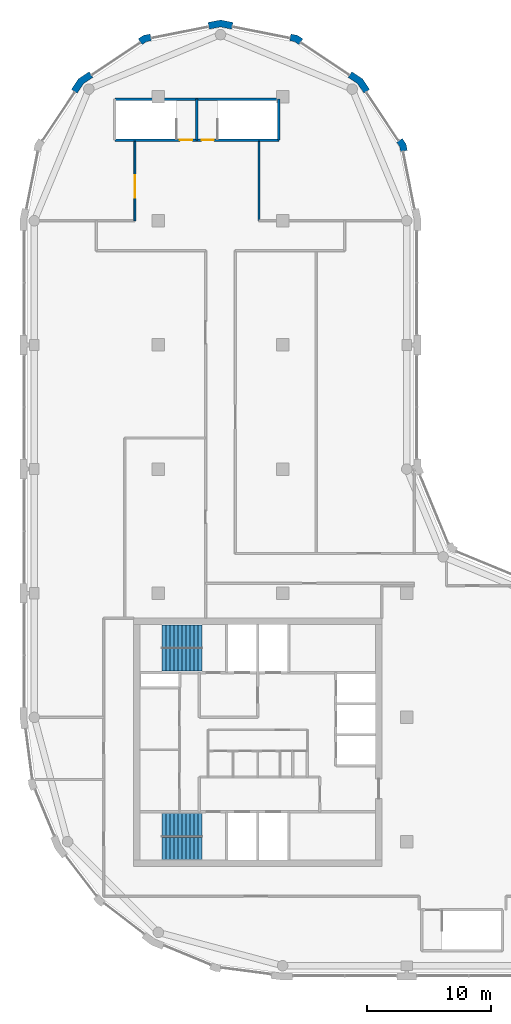
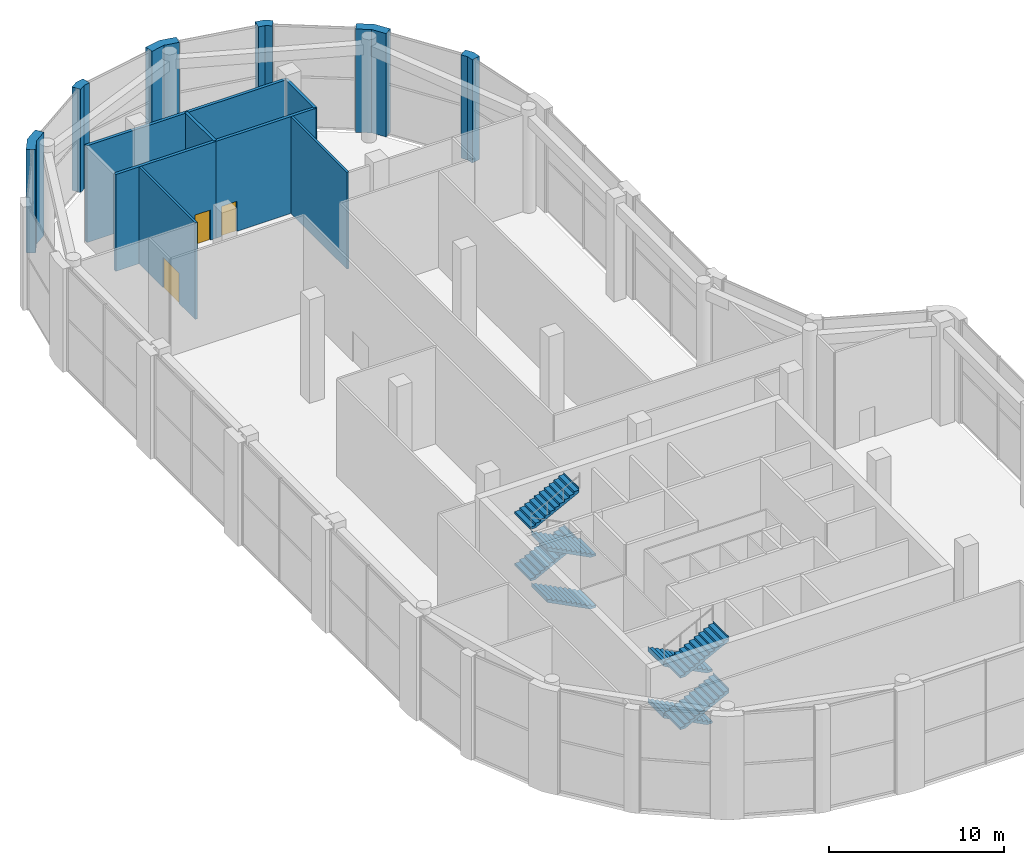
# One storey, part 13 of 14: 14 walls, 8 stair flights, 3 doors, 3 openings, 2 elements without a shape of their own.
"""IFC4 building model written with IfcOpenShell, lengths in metres."""

from ifc_helpers import new_model, si_unit, direction, frame, frame_2d, origin, place, context, subcontext, project, spatial, polyline, rectangle, outline, extrude, material, layer, layer_set, type_object, element, fill, aggregate, save


model = new_model("IFC4")

# Units and contexts
model_context = context("Model", 3, precision=1e-05, world=origin(), true_north=direction((0.0, 1.0)))
body_context = subcontext(model_context, "Body", "Model", "MODEL_VIEW")
ifc_project = project(units=[si_unit("LENGTHUNIT", "METRE"), si_unit("AREAUNIT", "SQUARE_METRE"), si_unit("VOLUMEUNIT", "CUBIC_METRE"), si_unit("PLANEANGLEUNIT", "RADIAN"), si_unit("MASSUNIT", "GRAM", prefix="KILO")], contexts=[model_context])

# Site, building, storey
site_placement = place(None, origin())
site = spatial("IfcSite", under=ifc_project, at=site_placement, CompositionType="ELEMENT")
building_placement = place(site_placement, origin())
building = spatial("IfcBuilding", under=site, at=building_placement, Name="Qaws Garden Tower", CompositionType="ELEMENT")
storey_placement = place(building_placement, frame((0.0, 0.0, 358.199951171875)))
storey = spatial("IfcBuildingStorey", under=building, at=storey_placement, Name="L87", CompositionType="ELEMENT", Elevation=358.199951171875)

# Walls
ifc_material_1 = material(Name="Clay facing brick masonry", Category="masonry")
ifc_layer_1 = layer(ifc_material_1, 0.550048828125)
ifc_layer_set_1 = layer_set([ifc_layer_1], Name="Clay facing brick masonry")
wall_type_1 = type_object("IfcWallType", Name="Brick kink pier 550 x 600", PredefinedType="SOLIDWALL", material=ifc_layer_set_1)
placement = place(storey_placement, origin())
element("IfcWall", 1, at=placement, inside=storey, type_object=wall_type_1, Name="E-L87-pier-10", PredefinedType="SOLIDWALL", context=body_context, shape_type="SweptSolid", body=[
    extrude(outline(polyline([(29.8974609375, 65.64111328125), (30.044677734375, 65.67041015625), (29.94140625, 66.18896484375), (29.647705078125, 66.628662109375), (29.52294921875, 66.545166015625), (29.1904296875, 66.322998046875), (29.42333984375, 65.974365234375), (29.505126953125, 65.56298828125), (29.8974609375, 65.64111328125)])), origin(), (0.0, 0.0, 1.0), 7.199951171875),
])
element("IfcWall", 2, at=placement, inside=storey, type_object=wall_type_1, Name="E-L87-pier-12", PredefinedType="SOLIDWALL", context=body_context, shape_type="SweptSolid", body=[
    extrude(outline(polyline([(21.545166015625, 74.52294921875), (21.628662109375, 74.647705078125), (21.18896484375, 74.94140625), (20.67041015625, 75.044677734375), (20.64111328125, 74.8974609375), (20.56298828125, 74.505126953125), (20.974365234375, 74.42333984375), (21.322998046875, 74.1904296875), (21.545166015625, 74.52294921875)])), origin(), (0.0, 0.0, 1.0), 7.199951171875),
])
element("IfcWall", 3, at=placement, inside=storey, type_object=wall_type_1, Name="E-L87-pier-14", PredefinedType="SOLIDWALL", context=body_context, shape_type="SweptSolid", body=[
    extrude(outline(polyline([(9.35888671875, 74.8974609375), (9.32958984375, 75.044677734375), (8.81103515625, 74.94140625), (8.371337890625, 74.647705078125), (8.454833984375, 74.52294921875), (8.677001953125, 74.1904296875), (9.025634765625, 74.42333984375), (9.43701171875, 74.505126953125), (9.35888671875, 74.8974609375)])), origin(), (0.0, 0.0, 1.0), 7.199951171875),
])
ifc_material_2 = material(Name="Clay facing brick masonry", Category="masonry")
ifc_layer_2 = layer(ifc_material_2, 0.550048828125)
ifc_layer_set_2 = layer_set([ifc_layer_2], Name="Clay facing brick masonry")
wall_type_2 = type_object("IfcWallType", Name="Brick pier 550 x 1600", PredefinedType="SOLIDWALL", material=ifc_layer_set_2)
element("IfcWall", 4, at=placement, inside=storey, type_object=wall_type_2, Name="E-L87-pier-11", PredefinedType="SOLIDWALL", context=body_context, shape_type="SweptSolid", body=[
    extrude(outline(polyline([(26.882568359375, 70.4970703125), (27.00732421875, 70.580322265625), (26.435791015625, 71.435791015625), (25.580322265625, 72.00732421875), (25.4970703125, 71.882568359375), (25.274658203125, 71.550048828125), (26.0390625, 71.0390625), (26.550048828125, 70.274658203125), (26.882568359375, 70.4970703125)])), origin(), (0.0, 0.0, 1.0), 7.199951171875),
])
element("IfcWall", 5, at=placement, inside=storey, type_object=wall_type_2, Name="E-L87-pier-13", PredefinedType="SOLIDWALL", context=body_context, shape_type="SweptSolid", body=[
    extrude(outline(polyline([(15.979736328125, 75.82470703125), (16.009033203125, 75.971923828125), (15.0, 76.172607421875), (13.990966796875, 75.971923828125), (14.020263671875, 75.82470703125), (14.098388671875, 75.432373046875), (15.0, 75.61181640625), (15.901611328125, 75.432373046875), (15.979736328125, 75.82470703125)])), origin(), (0.0, 0.0, 1.0), 7.199951171875),
])
element("IfcWall", 6, at=placement, inside=storey, type_object=wall_type_2, Name="E-L87-pier-15", PredefinedType="SOLIDWALL", context=body_context, shape_type="SweptSolid", body=[
    extrude(outline(polyline([(4.5029296875, 71.882568359375), (4.419677734375, 72.00732421875), (3.564208984375, 71.435791015625), (2.99267578125, 70.580322265625), (3.117431640625, 70.4970703125), (3.449951171875, 70.274658203125), (3.9609375, 71.0390625), (4.725341796875, 71.550048828125), (4.5029296875, 71.882568359375)])), origin(), (0.0, 0.0, 1.0), 7.199951171875),
])

# Wall, opening, door
ifc_material_3 = material(Name="Concrete C60", Category="concrete")
ifc_layer_3 = layer(ifc_material_3, 0.199951171875)
ifc_layer_set_3 = layer_set([ifc_layer_3], Name="Concrete C60")
wall_type_3 = type_object("IfcWallType", Name="Core shaft wall 200 C60", PredefinedType="SHEAR", material=ifc_layer_set_3)
wall_7_placement = place(storey_placement, frame((6.5, 66.5, 0.0), z_axis=(0.0, 0.0, 1.0), x_axis=(1.0, 0.0, 0.0)))
wall_7 = element("IfcWall", 7, at=wall_7_placement, inside=storey, type_object=wall_type_3, Name="Shaft wall", PredefinedType="SHEAR", context=body_context, shape_type="SweptSolid", body=[
    extrude(rectangle(XDim=6.60009765625, YDim=0.199951171875, at=frame_2d((3.300048828125, 0.0))), origin(), (0.0, 0.0, 1.0), 6.75),
])
opening_1_placement = place(wall_7_placement, frame((5.22509765625, 0.0, 0.0)))
opening_1 = element("IfcOpeningElement", 8, at=opening_1_placement, cuts=wall_7, Name="Opening SD11", PredefinedType="OPENING", context=body_context, shape_type="SweptSolid", body=[
    extrude(rectangle(XDim=1.0, YDim=2.10009765625, at=frame_2d((0.5, 1.050048828125))), frame((0.0, 0.10986328125, 0.0), z_axis=(0.0, -1.0, 0.0), x_axis=(1.0, 0.0, 0.0)), (0.0, 0.0, 1.0), 0.219970703125),
])
ifc_material_4 = material(Name="Steel S235", Category="steel")
door_type_1 = type_object("IfcDoorType", Name="Stair door 1000x2100", OperationType="SINGLE_SWING_RIGHT", PredefinedType="DOOR", material=ifc_material_4)
door_1_placement = place(opening_1_placement, origin())
door_1 = element("IfcDoor", 9, at=door_1_placement, inside=storey, type_object=door_type_1, Name="Stair 6 door", OperationType="SINGLE_SWING_RIGHT", OverallHeight=2.10009765625, OverallWidth=1.0, PredefinedType="DOOR", context=body_context, shape_type="SweptSolid", body=[
    extrude(rectangle(XDim=1.0, YDim=2.10009765625, at=frame_2d((0.5, 1.050048828125))), frame((0.0, 0.02490234375, 0.0), z_axis=(0.0, -1.0, 0.0), x_axis=(1.0, 0.0, 0.0)), (0.0, 0.0, 1.0), 0.050048828125),
])
fill(opening_1, door_1)

wall_8_placement = place(storey_placement, frame((13.10009765625, 66.5, 0.0), z_axis=(0.0, 0.0, 1.0), x_axis=(1.0, 0.0, 0.0)))
wall_8 = element("IfcWall", 10, at=wall_8_placement, inside=storey, type_object=wall_type_3, Name="Shaft wall", PredefinedType="SHEAR", context=body_context, shape_type="SweptSolid", body=[
    extrude(rectangle(XDim=6.599853515625, YDim=0.199951171875, at=frame_2d((3.2998046875, 0.0))), origin(), (0.0, 0.0, 1.0), 6.75),
])
opening_2_placement = place(wall_8_placement, frame((0.375, 0.0, 0.0)))
opening_2 = element("IfcOpeningElement", 11, at=opening_2_placement, cuts=wall_8, Name="Opening SD12", PredefinedType="OPENING", context=body_context, shape_type="SweptSolid", body=[
    extrude(rectangle(XDim=1.0, YDim=2.10009765625, at=frame_2d((0.5, 1.050048828125))), frame((0.0, 0.10986328125, 0.0), z_axis=(0.0, -1.0, 0.0), x_axis=(1.0, 0.0, 0.0)), (0.0, 0.0, 1.0), 0.219970703125),
])
door_2_placement = place(opening_2_placement, origin())
door_2 = element("IfcDoor", 12, at=door_2_placement, inside=storey, type_object=door_type_1, Name="Stair 7 door", OperationType="SINGLE_SWING_LEFT", OverallHeight=2.10009765625, OverallWidth=1.0, PredefinedType="DOOR", context=body_context, shape_type="SweptSolid", body=[
    extrude(rectangle(XDim=1.0, YDim=2.10009765625, at=frame_2d((0.5, 1.050048828125))), frame((0.0, 0.02490234375, 0.0), z_axis=(0.0, -1.0, 0.0), x_axis=(1.0, 0.0, 0.0)), (0.0, 0.0, 1.0), 0.050048828125),
])
fill(opening_2, door_2)

# Walls
wall_9_placement = place(storey_placement, frame((6.5, 69.800048828125, 0.0), z_axis=(0.0, 0.0, 1.0), x_axis=(1.0, 0.0, 0.0)))
element("IfcWall", 13, at=wall_9_placement, inside=storey, type_object=wall_type_3, Name="Shaft wall", PredefinedType="SHEAR", context=body_context, shape_type="SweptSolid", body=[
    extrude(rectangle(XDim=6.60009765625, YDim=0.199951171875, at=frame_2d((3.300048828125, 0.0))), origin(), (0.0, 0.0, 1.0), 6.75),
])
wall_10_placement = place(storey_placement, frame((13.10009765625, 69.800048828125, 0.0), z_axis=(0.0, 0.0, 1.0), x_axis=(1.0, 0.0, 0.0)))
element("IfcWall", 14, at=wall_10_placement, inside=storey, type_object=wall_type_3, Name="Shaft wall", PredefinedType="SHEAR", context=body_context, shape_type="SweptSolid", body=[
    extrude(rectangle(XDim=6.599853515625, YDim=0.199951171875, at=frame_2d((3.2998046875, 0.0))), origin(), (0.0, 0.0, 1.0), 6.75),
])
for number, where, z_axis, x_axis, name in (
    (15, (13.10009765625, 66.5, 0.0), (0.0, 0.0, 1.0), (0.0, 1.0, 0.0), "Shaft wall"),
    (16, (19.699951171875, 66.5, 0.0), (0.0, 0.0, 1.0), (0.0, 1.0, 0.0), "Shaft wall"),
):
    element("IfcWall", number, at=place(storey_placement, frame(where, z_axis=z_axis, x_axis=x_axis)), inside=storey, type_object=wall_type_3, Name=name, PredefinedType="SHEAR", context=body_context, shape_type="SweptSolid", body=[
        extrude(rectangle(XDim=3.300048828125, YDim=0.199951171875, at=frame_2d((1.64990234375, 0.0))), origin(), (0.0, 0.0, 1.0), 6.75),
    ])

# Wall, opening, door
ifc_material_5 = material(Name="Gypsum board partition")
ifc_layer_4 = layer(ifc_material_5, 0.14990234375)
ifc_layer_set_4 = layer_set([ifc_layer_4], Name="Gypsum board partition")
wall_type_4 = type_object("IfcWallType", Name="PARTITION 150 EI 60", PredefinedType="PARTITIONING", material=ifc_layer_set_4)
wall_11_placement = place(storey_placement, frame((8.10009765625, 60.0, 0.0), z_axis=(0.0, 0.0, 1.0), x_axis=(0.0, 1.0, 0.0)))
wall_11 = element("IfcWall", 17, at=wall_11_placement, inside=storey, type_object=wall_type_4, Name="O-L87-wall-004", PredefinedType="PARTITIONING", context=body_context, shape_type="SweptSolid", body=[
    extrude(rectangle(XDim=6.39990234375, YDim=0.14990234375, at=frame_2d((3.199951171875, 0.0))), origin(), (0.0, 0.0, 1.0), 6.75),
])
opening_3_placement = place(wall_11_placement, frame((1.85009765625, 0.0, 0.0)))
opening_3 = element("IfcOpeningElement", 18, at=opening_3_placement, cuts=wall_11, Name="Opening OB08", PredefinedType="OPENING", context=body_context, shape_type="SweptSolid", body=[
    extrude(rectangle(XDim=1.800048828125, YDim=2.10009765625, at=frame_2d((0.89990234375, 1.050048828125))), frame((0.0, 0.0849609375, 0.0), z_axis=(0.0, -1.0, 0.0), x_axis=(1.0, 0.0, 0.0)), (0.0, 0.0, 1.0), 0.169921875),
])
ifc_material_6 = material(Name="Timber door leaf", Category="wood")
door_type_2 = type_object("IfcDoorType", Name="DOUBLE DOOR 1800 X 2100", OperationType="DOUBLE_DOOR_SINGLE_SWING", PredefinedType="DOOR", material=ifc_material_6)
door_3_placement = place(opening_3_placement, origin())
door_3 = element("IfcDoor", 19, at=door_3_placement, inside=storey, type_object=door_type_2, Name="O-L87-door-008", OperationType="DOUBLE_DOOR_SINGLE_SWING", OverallHeight=2.10009765625, OverallWidth=1.800048828125, PredefinedType="DOOR", context=body_context, shape_type="SweptSolid", body=[
    extrude(rectangle(XDim=1.800048828125, YDim=2.10009765625, at=frame_2d((0.89990234375, 1.050048828125))), frame((0.0, 0.02490234375, 0.0), z_axis=(0.0, -1.0, 0.0), x_axis=(1.0, 0.0, 0.0)), (0.0, 0.0, 1.0), 0.050048828125),
])
fill(opening_3, door_3)

# Wall
wall_12_placement = place(storey_placement, frame((18.10009765625, 60.0, 0.0), z_axis=(0.0, 0.0, 1.0), x_axis=(0.0, 1.0, 0.0)))
element("IfcWall", 20, at=wall_12_placement, inside=storey, type_object=wall_type_4, Name="O-L87-wall-007", PredefinedType="PARTITIONING", context=body_context, shape_type="SweptSolid", body=[
    extrude(rectangle(XDim=6.39990234375, YDim=0.14990234375, at=frame_2d((3.199951171875, 0.0))), origin(), (0.0, 0.0, 1.0), 6.75),
])

# Stair, stair flights
ifc_material_7 = material(Name="Concrete C40", Category="concrete")
stair_type = type_object("IfcStairType", Name="Exit stair 1500", PredefinedType="HALF_TURN_STAIR", material=ifc_material_7)
stair_1 = element("IfcStair", 21, at=placement, inside=storey, type_object=stair_type, Name="Stair 1", PredefinedType="HALF_TURN_STAIR")
ifc_material_8 = material(Name="Concrete C40", Category="concrete")
stair_flight_type = type_object("IfcStairFlightType", Name="Stair flight 1500", PredefinedType="STRAIGHT", material=ifc_material_8)
stair_flight_1_placement = place(storey_placement, frame((13.5, 11.35009765625, 0.0), z_axis=(0.0, 0.0, 1.0), x_axis=(-1.0, 0.0, 0.0)))
stair_flight_1 = element("IfcStairFlight", 22, at=stair_flight_1_placement, type_object=stair_flight_type, Name="ST1 flight 1", NumberOfRisers=11, NumberOfTreads=10, PredefinedType="STRAIGHT", RiserHeight=0.163636364, TreadLength=0.32, context=body_context, shape_type="SweptSolid", body=[
    extrude(outline(polyline([(-0.0029296875, 0.0), (-0.0029296875, 0.16357421875), (0.0, 0.16357421875), (0.320068359375, 0.16357421875), (0.320068359375, 0.327392578125), (0.639892578125, 0.327392578125), (0.639892578125, 0.490966796875), (0.9599609375, 0.490966796875), (0.9599609375, 0.654541015625), (1.280029296875, 0.654541015625), (1.280029296875, 0.818115234375), (1.60009765625, 0.818115234375), (1.60009765625, 0.98193359375), (1.919921875, 0.98193359375), (1.919921875, 1.1455078125), (2.239990234375, 1.1455078125), (2.239990234375, 1.30908203125), (2.56005859375, 1.30908203125), (2.56005859375, 1.47265625), (2.8798828125, 1.47265625), (2.8798828125, 1.636474609375), (3.199951171875, 1.636474609375), (3.199951171875, 1.800048828125), (3.202880859375, 1.800048828125), (3.202880859375, 1.468017578125), (3.199951171875, 1.468017578125), (0.329345703125, 0.0), (-0.0029296875, 0.0)])), frame((0.0, 0.89501953125, 0.0), z_axis=(0.0, -1.0, 0.0), x_axis=(1.0, 0.0, 0.0)), (0.0, 0.0, 1.0), 1.7900390625),
])
stair_flight_2_placement = place(storey_placement, frame((10.300048828125, 9.449951171875, 1.800048828125), z_axis=(0.0, 0.0, 1.0), x_axis=(1.0, 0.0, 0.0)))
stair_flight_2 = element("IfcStairFlight", 23, at=stair_flight_2_placement, type_object=stair_flight_type, Name="ST1 flight 2", NumberOfRisers=11, NumberOfTreads=10, PredefinedType="STRAIGHT", RiserHeight=0.163636364, TreadLength=0.32, context=body_context, shape_type="SweptSolid", body=[
    extrude(outline(polyline([(-0.0029296875, 0.0), (-0.0029296875, 0.16357421875), (0.0, 0.16357421875), (0.320068359375, 0.16357421875), (0.320068359375, 0.327392578125), (0.639892578125, 0.327392578125), (0.639892578125, 0.490966796875), (0.9599609375, 0.490966796875), (0.9599609375, 0.654541015625), (1.280029296875, 0.654541015625), (1.280029296875, 0.818115234375), (1.60009765625, 0.818115234375), (1.60009765625, 0.98193359375), (1.919921875, 0.98193359375), (1.919921875, 1.1455078125), (2.239990234375, 1.1455078125), (2.239990234375, 1.30908203125), (2.56005859375, 1.30908203125), (2.56005859375, 1.47265625), (2.8798828125, 1.47265625), (2.8798828125, 1.636474609375), (3.199951171875, 1.636474609375), (3.199951171875, 1.800048828125), (3.202880859375, 1.800048828125), (3.202880859375, 1.468017578125), (3.199951171875, 1.468017578125), (0.329345703125, 0.0), (-0.0029296875, 0.0)])), frame((0.0, 0.89501953125, 0.0), z_axis=(0.0, -1.0, 0.0), x_axis=(1.0, 0.0, 0.0)), (0.0, 0.0, 1.0), 1.7900390625),
])
stair_flight_3_placement = place(storey_placement, frame((13.5, 11.35009765625, 3.60009765625), z_axis=(0.0, 0.0, 1.0), x_axis=(-1.0, 0.0, 0.0)))
stair_flight_3 = element("IfcStairFlight", 24, at=stair_flight_3_placement, type_object=stair_flight_type, Name="ST1 flight 3", NumberOfRisers=11, NumberOfTreads=10, PredefinedType="STRAIGHT", RiserHeight=0.163636364, TreadLength=0.32, context=body_context, shape_type="SweptSolid", body=[
    extrude(outline(polyline([(-0.0029296875, 0.0), (-0.0029296875, 0.16357421875), (0.0, 0.16357421875), (0.320068359375, 0.16357421875), (0.320068359375, 0.327392578125), (0.639892578125, 0.327392578125), (0.639892578125, 0.490966796875), (0.9599609375, 0.490966796875), (0.9599609375, 0.654541015625), (1.280029296875, 0.654541015625), (1.280029296875, 0.818115234375), (1.60009765625, 0.818115234375), (1.60009765625, 0.98193359375), (1.919921875, 0.98193359375), (1.919921875, 1.1455078125), (2.239990234375, 1.1455078125), (2.239990234375, 1.30908203125), (2.56005859375, 1.30908203125), (2.56005859375, 1.47265625), (2.8798828125, 1.47265625), (2.8798828125, 1.636474609375), (3.199951171875, 1.636474609375), (3.199951171875, 1.800048828125), (3.202880859375, 1.800048828125), (3.202880859375, 1.468017578125), (3.199951171875, 1.468017578125), (0.329345703125, 0.0), (-0.0029296875, 0.0)])), frame((0.0, 0.89501953125, 0.0), z_axis=(0.0, -1.0, 0.0), x_axis=(1.0, 0.0, 0.0)), (0.0, 0.0, 1.0), 1.7900390625),
])
stair_flight_4_placement = place(storey_placement, frame((10.300048828125, 9.449951171875, 5.400146484375), z_axis=(0.0, 0.0, 1.0), x_axis=(1.0, 0.0, 0.0)))
stair_flight_4 = element("IfcStairFlight", 25, at=stair_flight_4_placement, type_object=stair_flight_type, Name="ST1 flight 4", NumberOfRisers=11, NumberOfTreads=10, PredefinedType="STRAIGHT", RiserHeight=0.163636364, TreadLength=0.32, context=body_context, shape_type="SweptSolid", body=[
    extrude(outline(polyline([(-0.0029296875, 0.0), (-0.0029296875, 0.16357421875), (0.0, 0.16357421875), (0.320068359375, 0.16357421875), (0.320068359375, 0.327392578125), (0.639892578125, 0.327392578125), (0.639892578125, 0.490966796875), (0.9599609375, 0.490966796875), (0.9599609375, 0.654541015625), (1.280029296875, 0.654541015625), (1.280029296875, 0.818115234375), (1.60009765625, 0.818115234375), (1.60009765625, 0.98193359375), (1.919921875, 0.98193359375), (1.919921875, 1.1455078125), (2.239990234375, 1.1455078125), (2.239990234375, 1.30908203125), (2.56005859375, 1.30908203125), (2.56005859375, 1.47265625), (2.8798828125, 1.47265625), (2.8798828125, 1.636474609375), (3.199951171875, 1.636474609375), (3.199951171875, 1.800048828125), (3.202880859375, 1.800048828125), (3.202880859375, 1.468017578125), (3.199951171875, 1.468017578125), (0.329345703125, 0.0), (-0.0029296875, 0.0)])), frame((0.0, 0.89501953125, 0.0), z_axis=(0.0, -1.0, 0.0), x_axis=(1.0, 0.0, 0.0)), (0.0, 0.0, 1.0), 1.7900390625),
])
aggregate(stair_1, [stair_flight_1, stair_flight_2, stair_flight_3, stair_flight_4])

stair_2 = element("IfcStair", 26, at=placement, inside=storey, type_object=stair_type, Name="Stair 4", PredefinedType="HALF_TURN_STAIR")
stair_flight_5_placement = place(storey_placement, frame((13.5, 24.64990234375, 0.0), z_axis=(0.0, 0.0, 1.0), x_axis=(-1.0, 0.0, 0.0)))
stair_flight_5 = element("IfcStairFlight", 27, at=stair_flight_5_placement, type_object=stair_flight_type, Name="ST4 flight 1", NumberOfRisers=11, NumberOfTreads=10, PredefinedType="STRAIGHT", RiserHeight=0.163636364, TreadLength=0.32, context=body_context, shape_type="SweptSolid", body=[
    extrude(outline(polyline([(-0.0029296875, 0.0), (-0.0029296875, 0.16357421875), (0.0, 0.16357421875), (0.320068359375, 0.16357421875), (0.320068359375, 0.327392578125), (0.639892578125, 0.327392578125), (0.639892578125, 0.490966796875), (0.9599609375, 0.490966796875), (0.9599609375, 0.654541015625), (1.280029296875, 0.654541015625), (1.280029296875, 0.818115234375), (1.60009765625, 0.818115234375), (1.60009765625, 0.98193359375), (1.919921875, 0.98193359375), (1.919921875, 1.1455078125), (2.239990234375, 1.1455078125), (2.239990234375, 1.30908203125), (2.56005859375, 1.30908203125), (2.56005859375, 1.47265625), (2.8798828125, 1.47265625), (2.8798828125, 1.636474609375), (3.199951171875, 1.636474609375), (3.199951171875, 1.800048828125), (3.202880859375, 1.800048828125), (3.202880859375, 1.468017578125), (3.199951171875, 1.468017578125), (0.329345703125, 0.0), (-0.0029296875, 0.0)])), frame((0.0, 0.89990234375, 0.0), z_axis=(0.0, -1.0, 0.0), x_axis=(1.0, 0.0, 0.0)), (0.0, 0.0, 1.0), 1.800048828125),
])
stair_flight_6_placement = place(storey_placement, frame((10.300048828125, 26.550048828125, 1.800048828125), z_axis=(0.0, 0.0, 1.0), x_axis=(1.0, 0.0, 0.0)))
stair_flight_6 = element("IfcStairFlight", 28, at=stair_flight_6_placement, type_object=stair_flight_type, Name="ST4 flight 2", NumberOfRisers=11, NumberOfTreads=10, PredefinedType="STRAIGHT", RiserHeight=0.163636364, TreadLength=0.32, context=body_context, shape_type="SweptSolid", body=[
    extrude(outline(polyline([(-0.0029296875, 0.0), (-0.0029296875, 0.16357421875), (0.0, 0.16357421875), (0.320068359375, 0.16357421875), (0.320068359375, 0.327392578125), (0.639892578125, 0.327392578125), (0.639892578125, 0.490966796875), (0.9599609375, 0.490966796875), (0.9599609375, 0.654541015625), (1.280029296875, 0.654541015625), (1.280029296875, 0.818115234375), (1.60009765625, 0.818115234375), (1.60009765625, 0.98193359375), (1.919921875, 0.98193359375), (1.919921875, 1.1455078125), (2.239990234375, 1.1455078125), (2.239990234375, 1.30908203125), (2.56005859375, 1.30908203125), (2.56005859375, 1.47265625), (2.8798828125, 1.47265625), (2.8798828125, 1.636474609375), (3.199951171875, 1.636474609375), (3.199951171875, 1.800048828125), (3.202880859375, 1.800048828125), (3.202880859375, 1.468017578125), (3.199951171875, 1.468017578125), (0.329345703125, 0.0), (-0.0029296875, 0.0)])), frame((0.0, 0.89990234375, 0.0), z_axis=(0.0, -1.0, 0.0), x_axis=(1.0, 0.0, 0.0)), (0.0, 0.0, 1.0), 1.800048828125),
])
stair_flight_7_placement = place(storey_placement, frame((13.5, 24.64990234375, 3.60009765625), z_axis=(0.0, 0.0, 1.0), x_axis=(-1.0, 0.0, 0.0)))
stair_flight_7 = element("IfcStairFlight", 29, at=stair_flight_7_placement, type_object=stair_flight_type, Name="ST4 flight 3", NumberOfRisers=11, NumberOfTreads=10, PredefinedType="STRAIGHT", RiserHeight=0.163636364, TreadLength=0.32, context=body_context, shape_type="SweptSolid", body=[
    extrude(outline(polyline([(-0.0029296875, 0.0), (-0.0029296875, 0.16357421875), (0.0, 0.16357421875), (0.320068359375, 0.16357421875), (0.320068359375, 0.327392578125), (0.639892578125, 0.327392578125), (0.639892578125, 0.490966796875), (0.9599609375, 0.490966796875), (0.9599609375, 0.654541015625), (1.280029296875, 0.654541015625), (1.280029296875, 0.818115234375), (1.60009765625, 0.818115234375), (1.60009765625, 0.98193359375), (1.919921875, 0.98193359375), (1.919921875, 1.1455078125), (2.239990234375, 1.1455078125), (2.239990234375, 1.30908203125), (2.56005859375, 1.30908203125), (2.56005859375, 1.47265625), (2.8798828125, 1.47265625), (2.8798828125, 1.636474609375), (3.199951171875, 1.636474609375), (3.199951171875, 1.800048828125), (3.202880859375, 1.800048828125), (3.202880859375, 1.468017578125), (3.199951171875, 1.468017578125), (0.329345703125, 0.0), (-0.0029296875, 0.0)])), frame((0.0, 0.89990234375, 0.0), z_axis=(0.0, -1.0, 0.0), x_axis=(1.0, 0.0, 0.0)), (0.0, 0.0, 1.0), 1.800048828125),
])
stair_flight_8_placement = place(storey_placement, frame((10.300048828125, 26.550048828125, 5.400146484375), z_axis=(0.0, 0.0, 1.0), x_axis=(1.0, 0.0, 0.0)))
stair_flight_8 = element("IfcStairFlight", 30, at=stair_flight_8_placement, type_object=stair_flight_type, Name="ST4 flight 4", NumberOfRisers=11, NumberOfTreads=10, PredefinedType="STRAIGHT", RiserHeight=0.163636364, TreadLength=0.32, context=body_context, shape_type="SweptSolid", body=[
    extrude(outline(polyline([(-0.0029296875, 0.0), (-0.0029296875, 0.16357421875), (0.0, 0.16357421875), (0.320068359375, 0.16357421875), (0.320068359375, 0.327392578125), (0.639892578125, 0.327392578125), (0.639892578125, 0.490966796875), (0.9599609375, 0.490966796875), (0.9599609375, 0.654541015625), (1.280029296875, 0.654541015625), (1.280029296875, 0.818115234375), (1.60009765625, 0.818115234375), (1.60009765625, 0.98193359375), (1.919921875, 0.98193359375), (1.919921875, 1.1455078125), (2.239990234375, 1.1455078125), (2.239990234375, 1.30908203125), (2.56005859375, 1.30908203125), (2.56005859375, 1.47265625), (2.8798828125, 1.47265625), (2.8798828125, 1.636474609375), (3.199951171875, 1.636474609375), (3.199951171875, 1.800048828125), (3.202880859375, 1.800048828125), (3.202880859375, 1.468017578125), (3.199951171875, 1.468017578125), (0.329345703125, 0.0), (-0.0029296875, 0.0)])), frame((0.0, 0.89990234375, 0.0), z_axis=(0.0, -1.0, 0.0), x_axis=(1.0, 0.0, 0.0)), (0.0, 0.0, 1.0), 1.800048828125),
])
aggregate(stair_2, [stair_flight_5, stair_flight_6, stair_flight_7, stair_flight_8])

save(model, "model.ifc")
